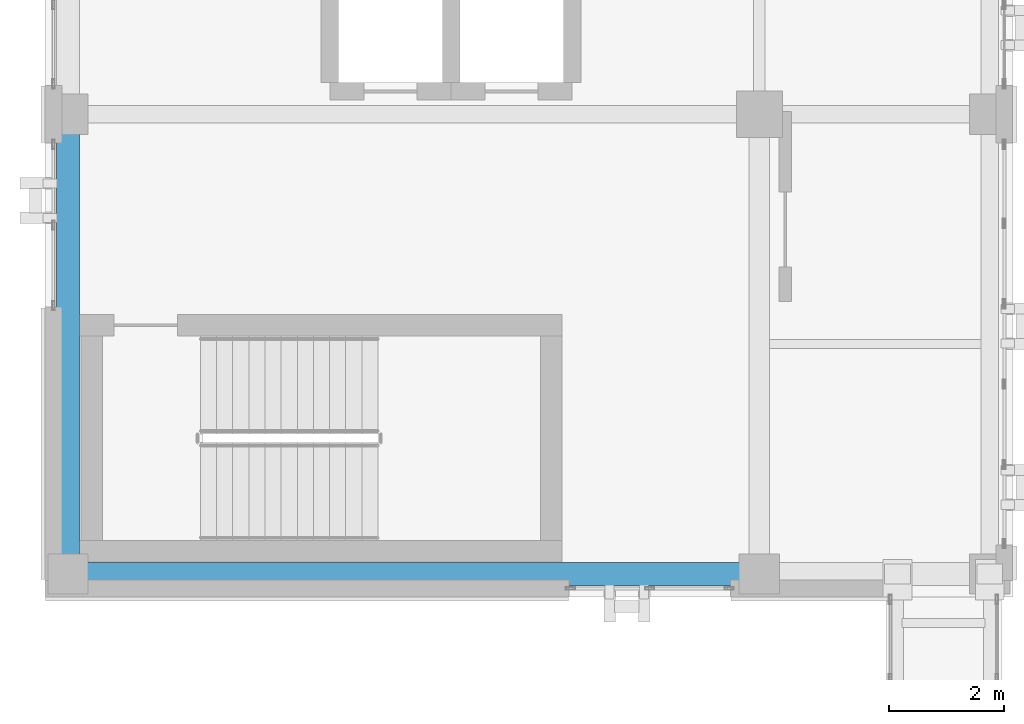
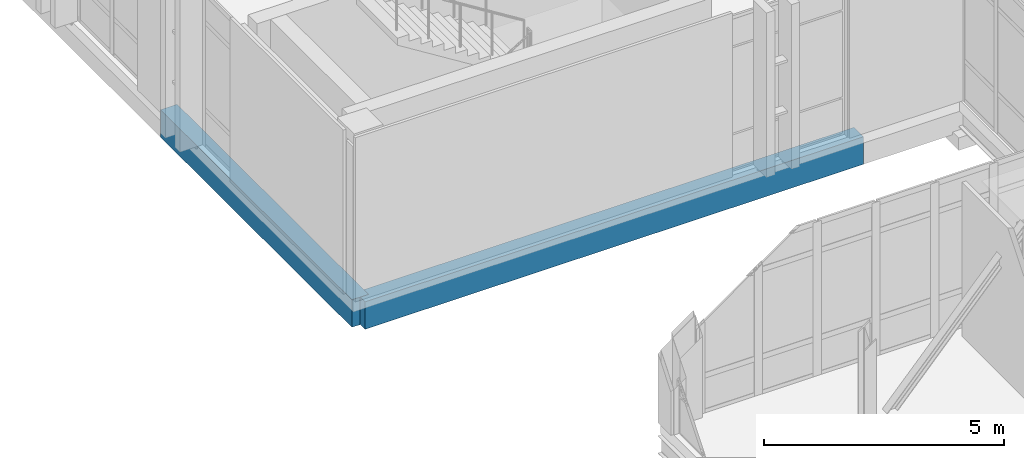
# One storey, part 21 of 165: 2 beams.
"""IFC4 building model written with IfcOpenShell, lengths in metres."""

from ifc_helpers import new_model, si_unit, direction, frame, origin, origin_2d, place, context, subcontext, project, spatial, rectangle, extrude, material, material_profile, profile_set, type_object, element, save


model = new_model("IFC4")

# Units and contexts
model_context = context("Model", 3, precision=1e-05, world=origin(), true_north=direction((0.0, 1.0)))
body_context = subcontext(model_context, "Body", "Model", "MODEL_VIEW")
ifc_project = project(units=[si_unit("LENGTHUNIT", "METRE"), si_unit("AREAUNIT", "SQUARE_METRE"), si_unit("VOLUMEUNIT", "CUBIC_METRE"), si_unit("PLANEANGLEUNIT", "RADIAN"), si_unit("MASSUNIT", "GRAM", prefix="KILO")], contexts=[model_context])

# Site, building, storey
site_placement = place(None, origin())
site = spatial("IfcSite", under=ifc_project, at=site_placement, CompositionType="ELEMENT")
building_placement = place(site_placement, origin())
building = spatial("IfcBuilding", under=site, at=building_placement, Name="Qalavern Law Courts", CompositionType="ELEMENT")
storey_placement = place(building_placement, frame((0.0, 0.0, 14.39990234375)))
storey = spatial("IfcBuildingStorey", under=building, at=storey_placement, Name="L03", CompositionType="ELEMENT", Elevation=14.39990234375)

# Beams
ifc_material = material(Name="Concrete C40/50", Category="concrete")
ifc_material_profile = material_profile(ifc_material, rectangle(XDim=0.39990234375, YDim=0.699951171875, at=origin_2d()), Name="RC 400x700")
ifc_profile_set = profile_set([ifc_material_profile], Name="Concrete C40/50")
beam_type = type_object("IfcBeamType", Name="STR-SP-RC400x700", PredefinedType="SPANDREL", material=ifc_profile_set)
beam_1_placement = place(storey_placement, frame((2.39990234375, 41.419921875, -0.635009765625), z_axis=(1.0, 0.0, 0.0), x_axis=(0.0, 1.0, 0.0)))
element("IfcBeam", 1, at=beam_1_placement, inside=storey, type_object=beam_type, Name="V3 X-beam 1-1 L03", PredefinedType="SPANDREL", context=body_context, shape_type="SweptSolid", body=[
    extrude(rectangle(XDim=0.39990234375, YDim=0.699951171875, at=origin_2d()), origin(), (0.0, 0.0, 1.0), 12.0),
])
beam_2_placement = place(storey_placement, frame((2.39990234375, 41.419921875, -0.635009765625), z_axis=(0.0, 1.0, 0.0), x_axis=(-1.0, 0.0, 0.0)))
element("IfcBeam", 2, at=beam_2_placement, inside=storey, type_object=beam_type, Name="V3 Y-beam 1-1 L03", PredefinedType="SPANDREL", context=body_context, shape_type="SweptSolid", body=[
    extrude(rectangle(XDim=0.39990234375, YDim=0.699951171875, at=origin_2d()), origin(), (0.0, 0.0, 1.0), 7.97998046875),
])

save(model, "model.ifc")
